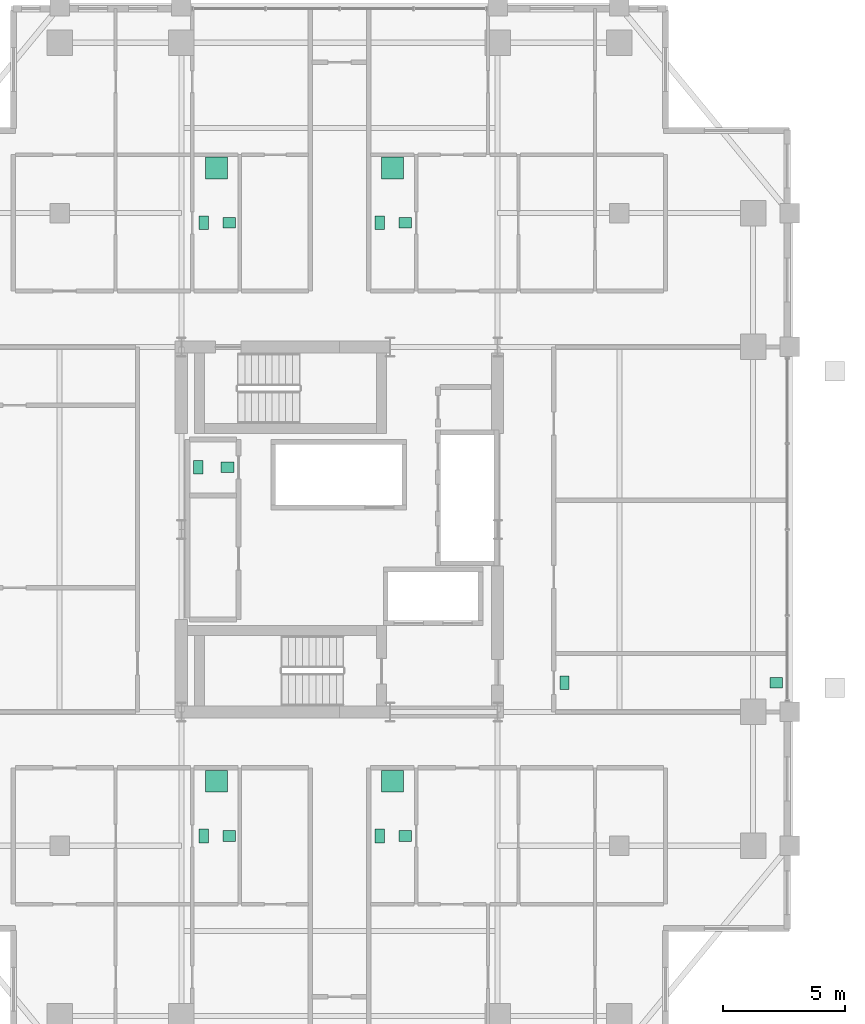
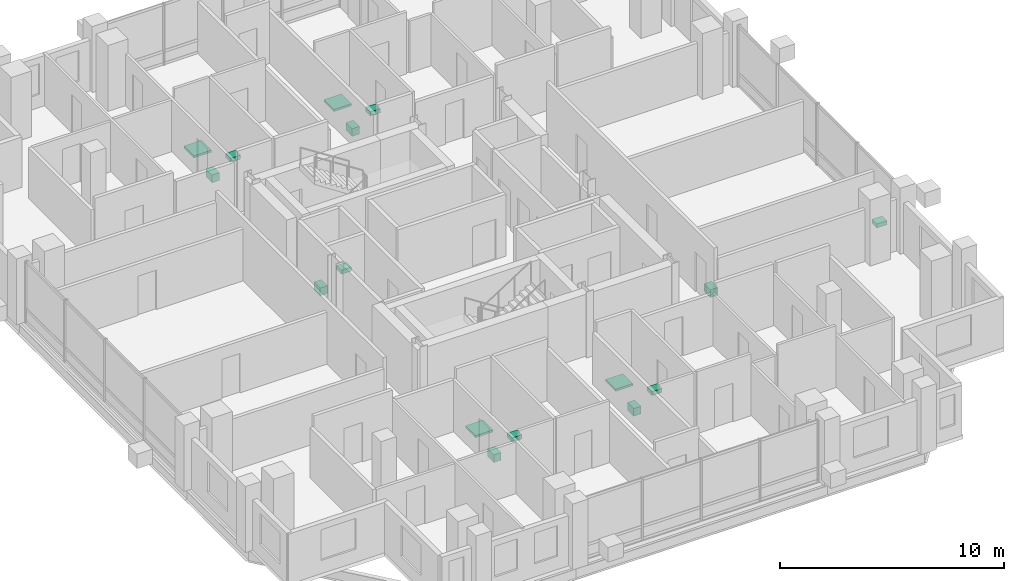
# One storey, part 24 of 24: 16 sanitary terminals.
"""IFC4 building model written with IfcOpenShell, lengths in metres."""

from ifc_helpers import new_model, si_unit, direction, frame, origin, origin_2d, place, context, subcontext, project, spatial, rectangle, extrude, material, type_object, element, save


model = new_model("IFC4")

# Units and contexts
model_context = context("Model", 3, precision=1e-05, world=origin(), true_north=direction((0.0, 1.0)))
body_context = subcontext(model_context, "Body", "Model", "MODEL_VIEW")
ifc_project = project(units=[si_unit("LENGTHUNIT", "METRE"), si_unit("AREAUNIT", "SQUARE_METRE"), si_unit("VOLUMEUNIT", "CUBIC_METRE"), si_unit("PLANEANGLEUNIT", "RADIAN"), si_unit("MASSUNIT", "GRAM", prefix="KILO")], contexts=[model_context])

# Site, building, storey
site_placement = place(None, origin())
site = spatial("IfcSite", under=ifc_project, at=site_placement, CompositionType="ELEMENT")
building_placement = place(site_placement, origin())
building = spatial("IfcBuilding", under=site, at=building_placement, Name="Barlavira Tower and Art Museum", CompositionType="ELEMENT")
storey_placement = place(building_placement, frame((0.0, 0.0, 201.60009765625)))
storey = spatial("IfcBuildingStorey", under=building, at=storey_placement, Name="L52", CompositionType="ELEMENT", Elevation=201.60009765625)

# Sanitary terminals
ifc_material = material(Name="Vitreous glazed ceramic", Category="ceramic")
sanitary_terminal_type_1 = type_object("IfcSanitaryTerminalType", Name="Countertop Ceramic Wash Hand Basin", PredefinedType="WASHHANDBASIN", material=ifc_material)
for number, where, z_axis, x_axis, name in (
    (1, (-4.60009765625, 2.550048828125, 0.73974609375), (0.0, 0.0, 1.0), (1.0, 0.0, 0.0), "L52-C-REC1W Wash Basin"),
    (2, (-4.530029296875, -12.60009765625, 0.73974609375), (0.0, 0.0, 1.0), (1.0, 0.0, 0.0), "L52-SW1-BTH1 Wash Basin"),
    (3, (2.699951171875, -12.60009765625, 0.73974609375), (0.0, 0.0, 1.0), (1.0, 0.0, 0.0), "L52-SE1-BTH1 Wash Basin"),
    (4, (-4.530029296875, 12.60009765625, 0.73974609375), (0.0, 0.0, 1.0), (1.0, 0.0, 0.0), "L52-NW1-BTH1 Wash Basin"),
    (5, (2.699951171875, 12.60009765625, 0.73974609375), (0.0, 0.0, 1.0), (1.0, 0.0, 0.0), "L52-NE1-BTH1 Wash Basin"),
    (6, (17.949951171875, -6.300048828125, 0.73974609375), (0.0, 0.0, 1.0), (1.0, 0.0, 0.0), "L52-E-SWC Wash Basin"),
):
    element("IfcSanitaryTerminal", number, at=place(storey_placement, frame(where, z_axis=z_axis, x_axis=x_axis)), inside=storey, type_object=sanitary_terminal_type_1, Name=name, PredefinedType="WASHHANDBASIN", context=body_context, shape_type="SweptSolid", body=[
        extrude(rectangle(XDim=0.52001953125, YDim=0.43994140625, at=origin_2d()), origin(), (0.0, 0.0, 1.0), 0.219970703125),
    ])
sanitary_terminal_type_2 = type_object("IfcSanitaryTerminalType", Name="Walk-In Thermostatic Rain Shower Unit", PredefinedType="SHOWER", material=ifc_material)
for number, where, z_axis, x_axis, name in (
    (7, (-5.054931640625, -10.35009765625, -0.000244140625), (0.0, 0.0, 1.0), (1.0, 0.0, 0.0), "L52-SW1-BTH1 Rain Shower"),
    (8, (2.175048828125, -10.35009765625, -0.000244140625), (0.0, 0.0, 1.0), (1.0, 0.0, 0.0), "L52-SE1-BTH1 Rain Shower"),
    (9, (-5.054931640625, 14.85009765625, -0.000244140625), (0.0, 0.0, 1.0), (1.0, 0.0, 0.0), "L52-NW1-BTH1 Rain Shower"),
    (10, (2.175048828125, 14.85009765625, -0.000244140625), (0.0, 0.0, 1.0), (1.0, 0.0, 0.0), "L52-NE1-BTH1 Rain Shower"),
):
    element("IfcSanitaryTerminal", number, at=place(storey_placement, frame(where, z_axis=z_axis, x_axis=x_axis)), inside=storey, type_object=sanitary_terminal_type_2, Name=name, PredefinedType="SHOWER", context=body_context, shape_type="SweptSolid", body=[
        extrude(rectangle(XDim=0.89990234375, YDim=0.89990234375, at=origin_2d()), origin(), (0.0, 0.0, 1.0), 0.1201171875),
    ])
sanitary_terminal_type_3 = type_object("IfcSanitaryTerminalType", Name="Wall-Hung Dual-Flush Vitreous WC Pan", PredefinedType="TOILETPAN", material=ifc_material)
for number, where, z_axis, x_axis, name in (
    (11, (-5.800048828125, 2.550048828125, 0.0), (0.0, 0.0, 1.0), (1.0, 0.0, 0.0), "L52-C-REC1W WC Pan"),
    (12, (-5.580078125, -12.60009765625, 0.0), (0.0, 0.0, 1.0), (1.0, 0.0, 0.0), "L52-SW1-BTH1 WC Pan"),
    (13, (1.64990234375, -12.60009765625, 0.0), (0.0, 0.0, 1.0), (1.0, 0.0, 0.0), "L52-SE1-BTH1 WC Pan"),
    (14, (-5.580078125, 12.60009765625, 0.0), (0.0, 0.0, 1.0), (1.0, 0.0, 0.0), "L52-NW1-BTH1 WC Pan"),
    (15, (1.64990234375, 12.60009765625, 0.0), (0.0, 0.0, 1.0), (1.0, 0.0, 0.0), "L52-NE1-BTH1 WC Pan"),
    (16, (9.25, -6.300048828125, 0.0), (0.0, 0.0, 1.0), (1.0, 0.0, 0.0), "L52-E-SWC WC Pan"),
):
    element("IfcSanitaryTerminal", number, at=place(storey_placement, frame(where, z_axis=z_axis, x_axis=x_axis)), inside=storey, type_object=sanitary_terminal_type_3, Name=name, PredefinedType="TOILETPAN", context=body_context, shape_type="SweptSolid", body=[
        extrude(rectangle(XDim=0.3798828125, YDim=0.56005859375, at=origin_2d()), origin(), (0.0, 0.0, 1.0), 0.419921875),
    ])

save(model, "model.ifc")
